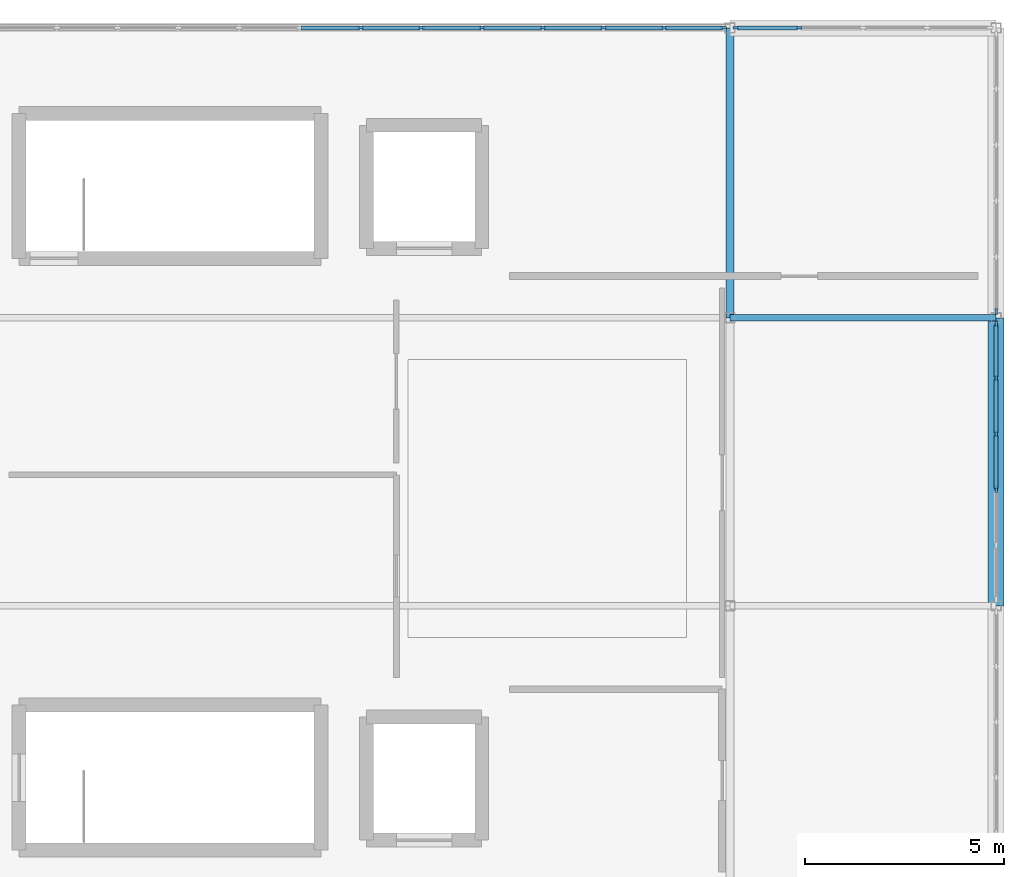
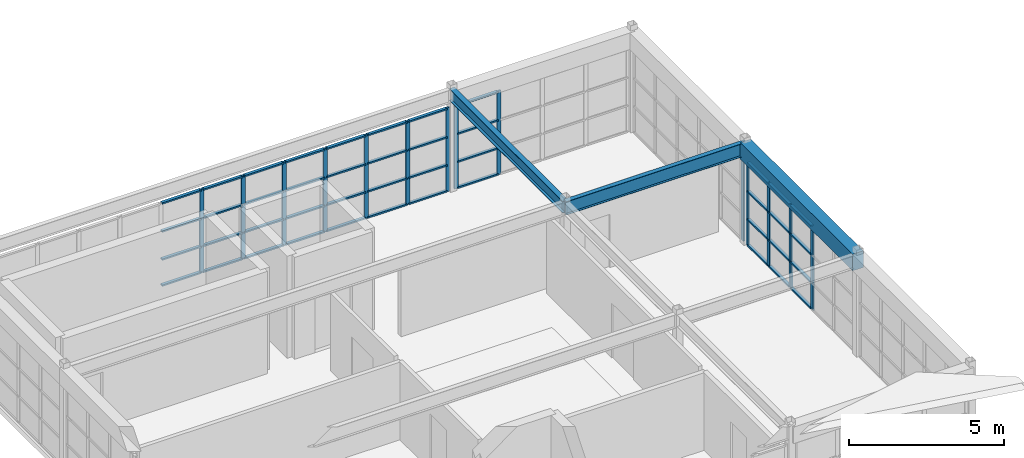
# One storey, part 12 of 19: 58 members, 3 beams, 4 elements without a shape of their own.
"""IFC4 building model written with IfcOpenShell, lengths in metres."""

import ifcopenshell
import ifcopenshell.guid

model = None  # the IFC model being written
_history = None  # IfcOwnerHistory: only IFC2X3 demands one
_inside = {}  # id of a spatial element -> (the spatial element, [elements in it])
_under = {}  # id of a project, library or spatial element -> (it, [spatial elements below it])
_declared = {}  # id of a project -> (the project, [libraries it declares])
_typed = {}  # id of a type object -> (the type object, [elements of that type])
_made_of = {}  # id of a material, layer set ... -> (it, [elements and type objects made of it])


def new_model(schema):
    """Start an empty IFC model of exactly this schema.

    Asked for "IFC4X3", IfcOpenShell would pick the latest addendum, in which some entities
    have other attributes; the version numbers below select the first issue.
    IFC2X3 requires an IfcOwnerHistory on every rooted entity: one is made here for all.
    """
    global model, _history
    if schema == "IFC4X3":
        model = ifcopenshell.file(schema_version=(4, 3, 0, 0))
    else:
        model = ifcopenshell.file(schema=schema)
    _inside.clear()
    _under.clear()
    _declared.clear()
    _typed.clear()
    _made_of.clear()
    _history = None
    if model.schema == "IFC2X3":
        org = make("IfcOrganization", Name="unknown")
        user = make(
            "IfcPersonAndOrganization",
            ThePerson=make("IfcPerson", FamilyName="unknown"),
            TheOrganization=org,
        )
        app = make(
            "IfcApplication",
            ApplicationDeveloper=org,
            Version="unknown",
            ApplicationFullName="unknown",
            ApplicationIdentifier="unknown",
        )
        _history = make(
            "IfcOwnerHistory",
            OwningUser=user,
            OwningApplication=app,
            ChangeAction="ADDED",
            CreationDate=0,
        )
    return model


def make(cls, **values):
    """One entity of the class cls with the attributes given. An attribute that is None is left unset."""
    return model.create_entity(
        cls, **{name: value for name, value in values.items() if value is not None}
    )


def rooted(cls, **values):
    """An entity with a GlobalId (a new one), such as an element, a storey or a relation."""
    return make(cls, GlobalId=ifcopenshell.guid.new(), OwnerHistory=_history, **values)


def si_unit(unit_type, name, prefix=None):
    """IfcSIUnit, for example si_unit("LENGTHUNIT", "METRE", prefix="MILLI")."""
    return make("IfcSIUnit", UnitType=unit_type, Prefix=prefix, Name=name)


def assignment(units):
    """IfcUnitAssignment: the units of a project."""
    return None if units is None else make("IfcUnitAssignment", Units=units)


def point(xyz):
    """IfcCartesianPoint."""
    return None if xyz is None else make("IfcCartesianPoint", Coordinates=xyz)


def direction(xyz):
    """IfcDirection."""
    return None if xyz is None else make("IfcDirection", DirectionRatios=xyz)


def frame(location, z_axis=None, x_axis=None):
    """IfcAxis2Placement3D, a coordinate frame: its origin and axes. An axis left out is left unset."""
    return make(
        "IfcAxis2Placement3D",
        Location=point(location),
        Axis=direction(z_axis),
        RefDirection=direction(x_axis),
    )


def frame_2d(location, x_axis=None):
    """IfcAxis2Placement2D, a coordinate frame in the plane: its origin and x axis."""
    return make(
        "IfcAxis2Placement2D", Location=point(location), RefDirection=direction(x_axis)
    )


def origin():
    """The frame at (0, 0, 0) with its axes left unset."""
    return frame((0.0, 0.0, 0.0))


def origin_2d():
    """The frame at (0, 0) in the plane with its x axis left unset."""
    return frame_2d((0.0, 0.0))


def place(relative_to, where):
    """IfcLocalPlacement: puts the frame where relative to a parent placement (None: the world)."""
    return make(
        "IfcLocalPlacement", PlacementRelTo=relative_to, RelativePlacement=where
    )


def context(
    kind, dimensions, precision=None, world=None, true_north=None, identifier=None
):
    """IfcGeometricRepresentationContext, for example the 3D "Model" context."""
    return make(
        "IfcGeometricRepresentationContext",
        ContextIdentifier=identifier,
        ContextType=kind,
        CoordinateSpaceDimension=dimensions,
        Precision=precision,
        WorldCoordinateSystem=world,
        TrueNorth=true_north,
    )


def subcontext(parent, identifier, kind, view, scale=None):
    """IfcGeometricRepresentationSubContext, for example "Body" below "Model"."""
    return make(
        "IfcGeometricRepresentationSubContext",
        ContextIdentifier=identifier,
        ContextType=kind,
        ParentContext=parent,
        TargetScale=scale,
        TargetView=view,
    )


def project(units=None, contexts=None):
    """IfcProject with its units and contexts."""
    return rooted(
        "IfcProject",
        Name="project",
        RepresentationContexts=contexts,
        UnitsInContext=assignment(units),
    )


def spatial(cls, under=None, at=None, **own):
    """A site, building, storey or space (cls), placed at a placement, below another one or the project."""
    s = rooted(cls, ObjectPlacement=at, **own)
    if under is not None:
        _under.setdefault(under.id(), (under, []))[1].append(s)
    return s


def profile(cls, at=None, kind="AREA", **sizes):
    """A parametric profile (cls). Its sizes go by their IFC names, for example OverallWidth=200.0."""
    return make(cls, ProfileType=kind, Position=at, **sizes)


def rectangle(**sizes):
    """IfcRectangleProfileDef."""
    return profile("IfcRectangleProfileDef", **sizes)


def i_section(**sizes):
    """IfcIShapeProfileDef."""
    return profile("IfcIShapeProfileDef", **sizes)


def extrude(swept, where, along, depth):
    """IfcExtrudedAreaSolid: the profile swept, set in the frame where, extruded along a direction by depth."""
    return make(
        "IfcExtrudedAreaSolid",
        SweptArea=swept,
        Position=where,
        ExtrudedDirection=direction(along),
        Depth=depth,
    )


def shape(context_of_items, identifier, shape_type, items):
    """IfcShapeRepresentation: the items that make up one representation, for example the "Body"."""
    return make(
        "IfcShapeRepresentation",
        ContextOfItems=context_of_items,
        RepresentationIdentifier=identifier,
        RepresentationType=shape_type,
        Items=items,
    )


def material(Name=None, Category=None):
    """IfcMaterial."""
    return make("IfcMaterial", Name=Name, Category=Category)


def layer(
    of_material, thickness, ventilated=None, Name=None, Category=None, Priority=None
):
    """IfcMaterialLayer: one layer of a wall or slab, of a material (None: an air gap)."""
    return make(
        "IfcMaterialLayer",
        Material=of_material,
        LayerThickness=thickness,
        IsVentilated=ventilated,
        Name=Name,
        Category=Category,
        Priority=Priority,
    )


def layer_set(layers, Name=None):
    """IfcMaterialLayerSet."""
    return make("IfcMaterialLayerSet", MaterialLayers=layers, LayerSetName=Name)


def material_profile(
    of_material, cross_section, Name=None, Category=None, Priority=None
):
    """IfcMaterialProfile: a cross section and its material."""
    return make(
        "IfcMaterialProfile",
        Name=Name,
        Material=of_material,
        Profile=cross_section,
        Priority=Priority,
        Category=Category,
    )


def profile_set(profiles, Name=None, composite=None):
    """IfcMaterialProfileSet."""
    return make(
        "IfcMaterialProfileSet",
        Name=Name,
        MaterialProfiles=profiles,
        CompositeProfile=composite,
    )


def made_of(thing, what):
    """Note that an element or type object is made of a material, layer set ...; save() writes the relation."""
    if what is not None:
        _made_of.setdefault(what.id(), (what, []))[1].append(thing)
    return thing


def type_object(cls, material=None, **own):
    """A type object (cls), such as IfcWallType, which elements share."""
    return made_of(rooted(cls, **own), material)


def element(
    cls,
    number,
    at=None,
    inside=None,
    cuts=None,
    type_object=None,
    material=None,
    context=None,
    identifier="Body",
    shape_type=None,
    held_by="IfcProductDefinitionShape",
    body=None,
    shapes=None,
    **own,
):
    """One element of the class cls, such as IfcWall. Its Tag is "e" and its number.

    at: its placement. inside: the storey or other place that contains it. cuts: it is an
    opening in that element (IfcRelVoidsElement). A single representation is given by context,
    identifier, shape_type and body (its items); several are given by shapes. held_by: the class
    of the entity that holds the representations. save() writes the other relations.
    """
    e = rooted(cls, Tag="e%d" % number, ObjectPlacement=at, **own)
    if body is not None:
        shapes = [shape(context, identifier, shape_type, body)]
    if shapes is not None:
        e.Representation = make(held_by, Representations=shapes)
    if inside is not None:
        _inside.setdefault(inside.id(), (inside, []))[1].append(e)
    if cuts is not None:
        rooted(
            "IfcRelVoidsElement", RelatingBuildingElement=cuts, RelatedOpeningElement=e
        )
    if type_object is not None:
        _typed.setdefault(type_object.id(), (type_object, []))[1].append(e)
    return made_of(e, material)


def aggregate(whole, parts):
    """IfcRelAggregates: a whole, such as a stair, and the parts it consists of."""
    return rooted("IfcRelAggregates", RelatingObject=whole, RelatedObjects=parts)


def save(model, path):
    """Write the relations noted so far, then the file.

    IfcRelAggregates (storeys below a building ...), IfcRelContainedInSpatialStructure (elements
    in a storey), IfcRelDefinesByType, IfcRelAssociatesMaterial and IfcRelDeclares: one each for
    every whole, place, type object, material and project.
    """
    for whole, parts in _under.values():
        aggregate(whole, parts)
    for where, things in _inside.values():
        rooted(
            "IfcRelContainedInSpatialStructure",
            RelatedElements=things,
            RelatingStructure=where,
        )
    for kind, things in _typed.values():
        rooted("IfcRelDefinesByType", RelatedObjects=things, RelatingType=kind)
    for what, things in _made_of.values():
        rooted("IfcRelAssociatesMaterial", RelatedObjects=things, RelatingMaterial=what)
    for by, libraries in _declared.values():
        rooted("IfcRelDeclares", RelatingContext=by, RelatedDefinitions=libraries)
    model.write(path)


model = new_model("IFC4")

# Units and contexts
model_context = context("Model", 3, precision=1e-05, world=origin(), true_north=direction((0.0, 1.0)))
body_context = subcontext(model_context, "Body", "Model", "MODEL_VIEW")
ifc_project = project(units=[si_unit("LENGTHUNIT", "METRE"), si_unit("AREAUNIT", "SQUARE_METRE"), si_unit("VOLUMEUNIT", "CUBIC_METRE"), si_unit("PLANEANGLEUNIT", "RADIAN"), si_unit("MASSUNIT", "GRAM", prefix="KILO")], contexts=[model_context])

# Site, building, storey
site_placement = place(None, origin())
site = spatial("IfcSite", under=ifc_project, at=site_placement, CompositionType="ELEMENT")
building_placement = place(site_placement, origin())
building = spatial("IfcBuilding", under=site, at=building_placement, Name="Candilejo Ridge Gondola Terminal", CompositionType="ELEMENT")
storey_placement = place(building_placement, frame((0.0, 0.0, 22.800048828125)))
storey = spatial("IfcBuildingStorey", under=building, at=storey_placement, Name="L05", CompositionType="ELEMENT", Elevation=22.800048828125)

# Curtain wall, members
ifc_material_1 = material(Name="Anodised aluminium AA 6063-T6", Category="aluminium")
ifc_layer_1 = layer(ifc_material_1, 0.169921875)
ifc_layer_set_1 = layer_set([ifc_layer_1], Name="ARC-CW-TOWER-3000-700X329")
curtain_wall_type_1 = type_object("IfcCurtainWallType", Name="ARC-CW-TOWER-3000-700X329", PredefinedType="NOTDEFINED", material=ifc_layer_set_1)
curtain_wall_1_placement = place(storey_placement, origin())
curtain_wall_1 = element("IfcCurtainWall", 1, at=curtain_wall_1_placement, inside=storey, type_object=curtain_wall_type_1, Name="Curtain wall V5 L05-229", PredefinedType="NOTDEFINED")
ifc_material_2 = material(Name="Anodised aluminium AA 6063-T6", Category="aluminium")
ifc_material_profile_1 = material_profile(ifc_material_2, rectangle(XDim=0.06494140625, YDim=0.14990234375, at=origin_2d()))
ifc_profile_set_1 = profile_set([ifc_material_profile_1], Name="Anodised aluminium AA 6063-T6")
member_type_1 = type_object("IfcMemberType", Name="ARC-CW-MULLION-150", PredefinedType="MULLION", material=ifc_profile_set_1)
member_1_placement = place(storey_placement, frame((175.300048828125, 109.22509765625, 0.0), z_axis=(0.0, 0.0, 1.0), x_axis=(-1.0, 0.0, 0.0)))
member_1 = element("IfcMember", 2, at=member_1_placement, type_object=member_type_1, Name="CW-70X32 mullion 3", PredefinedType="MULLION", context=body_context, shape_type="SweptSolid", body=[
    extrude(rectangle(XDim=0.06494140625, YDim=0.14990234375, at=origin_2d()), origin(), (0.0, 0.0, 1.0), 3.2900390625),
])
member_2_placement = place(storey_placement, frame((175.300048828125, 110.625, 0.0), z_axis=(0.0, 0.0, 1.0), x_axis=(-1.0, 0.0, 0.0)))
member_2 = element("IfcMember", 3, at=member_2_placement, type_object=member_type_1, Name="CW-70X32 mullion 4", PredefinedType="MULLION", context=body_context, shape_type="SweptSolid", body=[
    extrude(rectangle(XDim=0.06494140625, YDim=0.14990234375, at=origin_2d()), origin(), (0.0, 0.0, 1.0), 3.2900390625),
])
member_3_placement = place(storey_placement, frame((175.300048828125, 112.02490234375, 0.0), z_axis=(0.0, 0.0, 1.0), x_axis=(-1.0, 0.0, 0.0)))
member_3 = element("IfcMember", 4, at=member_3_placement, type_object=member_type_1, Name="CW-70X32 mullion 5", PredefinedType="MULLION", context=body_context, shape_type="SweptSolid", body=[
    extrude(rectangle(XDim=0.06494140625, YDim=0.14990234375, at=origin_2d()), origin(), (0.0, 0.0, 1.0), 3.2900390625),
])
member_4_placement = place(storey_placement, frame((175.300048828125, 113.392578125, 0.0), z_axis=(0.0, 0.0, 1.0), x_axis=(-1.0, 0.0, 0.0)))
member_4 = element("IfcMember", 5, at=member_4_placement, type_object=member_type_1, Name="CW-70X32 mullion 6", PredefinedType="MULLION", context=body_context, shape_type="SweptSolid", body=[
    extrude(rectangle(XDim=0.06494140625, YDim=0.14990234375, at=origin_2d()), origin(), (0.0, 0.0, 1.0), 3.2900390625),
])

# Curtain wall, member
ifc_material_3 = material(Name="Anodised aluminium AA 6063-T6", Category="aluminium")
ifc_layer_2 = layer(ifc_material_3, 0.169921875)
ifc_layer_set_2 = layer_set([ifc_layer_2], Name="ARC-CW-TOWER-3000-705X329")
curtain_wall_type_2 = type_object("IfcCurtainWallType", Name="ARC-CW-TOWER-3000-705X329", PredefinedType="NOTDEFINED", material=ifc_layer_set_2)
curtain_wall_2_placement = place(storey_placement, origin())
curtain_wall_2 = element("IfcCurtainWall", 6, at=curtain_wall_2_placement, inside=storey, type_object=curtain_wall_type_2, Name="Curtain wall V5 L05-231", PredefinedType="NOTDEFINED")
member_5_placement = place(storey_placement, frame((175.300048828125, 113.70751953125, 0.0), z_axis=(0.0, 0.0, 1.0), x_axis=(-1.0, 0.0, 0.0)))
member_5 = element("IfcMember", 7, at=member_5_placement, type_object=member_type_1, Name="CW-70X32 mullion 1", PredefinedType="MULLION", context=body_context, shape_type="SweptSolid", body=[
    extrude(rectangle(XDim=0.06494140625, YDim=0.14990234375, at=origin_2d()), origin(), (0.0, 0.0, 1.0), 3.2900390625),
])
aggregate(curtain_wall_2, [member_5])

# Curtain wall, members
ifc_material_4 = material(Name="Anodised aluminium AA 6063-T6", Category="aluminium")
ifc_layer_3 = layer(ifc_material_4, 0.169921875)
ifc_layer_set_3 = layer_set([ifc_layer_3], Name="ARC-CW-TOWER-3000-1835X329")
curtain_wall_type_3 = type_object("IfcCurtainWallType", Name="ARC-CW-TOWER-3000-1835X329", PredefinedType="NOTDEFINED", material=ifc_layer_set_3)
curtain_wall_3_placement = place(storey_placement, origin())
curtain_wall_3 = element("IfcCurtainWall", 8, at=curtain_wall_3_placement, inside=storey, type_object=curtain_wall_type_3, Name="Curtain wall V5 L05-233", PredefinedType="NOTDEFINED")
member_6_placement = place(storey_placement, frame((159.300048828125, 120.85009765625, 0.0), z_axis=(0.0, 0.0, 1.0), x_axis=(0.0, 1.0, 0.0)))
member_6 = element("IfcMember", 9, at=member_6_placement, type_object=member_type_1, Name="CW-183X32 mullion 7", PredefinedType="MULLION", context=body_context, shape_type="SweptSolid", body=[
    extrude(rectangle(XDim=0.06494140625, YDim=0.14990234375, at=origin_2d()), origin(), (0.0, 0.0, 1.0), 3.2900390625),
])
member_7_placement = place(storey_placement, frame((160.8291015625, 120.85009765625, 0.0), z_axis=(0.0, 0.0, 1.0), x_axis=(0.0, 1.0, 0.0)))
member_7 = element("IfcMember", 10, at=member_7_placement, type_object=member_type_1, Name="CW-183X32 mullion 8", PredefinedType="MULLION", context=body_context, shape_type="SweptSolid", body=[
    extrude(rectangle(XDim=0.06494140625, YDim=0.14990234375, at=origin_2d()), origin(), (0.0, 0.0, 1.0), 3.2900390625),
])
member_8_placement = place(storey_placement, frame((162.3583984375, 120.85009765625, 0.0), z_axis=(0.0, 0.0, 1.0), x_axis=(0.0, 1.0, 0.0)))
member_8 = element("IfcMember", 11, at=member_8_placement, type_object=member_type_1, Name="CW-183X32 mullion 9", PredefinedType="MULLION", context=body_context, shape_type="SweptSolid", body=[
    extrude(rectangle(XDim=0.06494140625, YDim=0.14990234375, at=origin_2d()), origin(), (0.0, 0.0, 1.0), 3.2900390625),
])
member_9_placement = place(storey_placement, frame((163.887451171875, 120.85009765625, 0.0), z_axis=(0.0, 0.0, 1.0), x_axis=(0.0, 1.0, 0.0)))
member_9 = element("IfcMember", 12, at=member_9_placement, type_object=member_type_1, Name="CW-183X32 mullion 10", PredefinedType="MULLION", context=body_context, shape_type="SweptSolid", body=[
    extrude(rectangle(XDim=0.06494140625, YDim=0.14990234375, at=origin_2d()), origin(), (0.0, 0.0, 1.0), 3.2900390625),
])
member_10_placement = place(storey_placement, frame((165.416748046875, 120.85009765625, 0.0), z_axis=(0.0, 0.0, 1.0), x_axis=(0.0, 1.0, 0.0)))
member_10 = element("IfcMember", 13, at=member_10_placement, type_object=member_type_1, Name="CW-183X32 mullion 11", PredefinedType="MULLION", context=body_context, shape_type="SweptSolid", body=[
    extrude(rectangle(XDim=0.06494140625, YDim=0.14990234375, at=origin_2d()), origin(), (0.0, 0.0, 1.0), 3.2900390625),
])
member_11_placement = place(storey_placement, frame((166.94580078125, 120.85009765625, 0.0), z_axis=(0.0, 0.0, 1.0), x_axis=(0.0, 1.0, 0.0)))
member_11 = element("IfcMember", 14, at=member_11_placement, type_object=member_type_1, Name="CW-183X32 mullion 12", PredefinedType="MULLION", context=body_context, shape_type="SweptSolid", body=[
    extrude(rectangle(XDim=0.06494140625, YDim=0.14990234375, at=origin_2d()), origin(), (0.0, 0.0, 1.0), 3.2900390625),
])
member_12_placement = place(storey_placement, frame((168.4423828125, 120.85009765625, 0.0), z_axis=(0.0, 0.0, 1.0), x_axis=(0.0, 1.0, 0.0)))
member_12 = element("IfcMember", 15, at=member_12_placement, type_object=member_type_1, Name="CW-183X32 mullion 13", PredefinedType="MULLION", context=body_context, shape_type="SweptSolid", body=[
    extrude(rectangle(XDim=0.06494140625, YDim=0.14990234375, at=origin_2d()), origin(), (0.0, 0.0, 1.0), 3.2900390625),
])

ifc_material_5 = material(Name="Anodised aluminium AA 6063-T6", Category="aluminium")
ifc_layer_4 = layer(ifc_material_5, 0.169921875)
ifc_layer_set_4 = layer_set([ifc_layer_4], Name="ARC-CW-TOWER-3000-645X329")
curtain_wall_type_4 = type_object("IfcCurtainWallType", Name="ARC-CW-TOWER-3000-645X329", PredefinedType="NOTDEFINED", material=ifc_layer_set_4)
curtain_wall_4_placement = place(storey_placement, origin())
curtain_wall_4 = element("IfcCurtainWall", 16, at=curtain_wall_4_placement, inside=storey, type_object=curtain_wall_type_4, Name="Curtain wall V5 L05-235", PredefinedType="NOTDEFINED")
member_13_placement = place(storey_placement, frame((168.757568359375, 120.85009765625, 0.0), z_axis=(0.0, 0.0, 1.0), x_axis=(0.0, 1.0, 0.0)))
member_13 = element("IfcMember", 17, at=member_13_placement, type_object=member_type_1, Name="CW-64X32 mullion 1", PredefinedType="MULLION", context=body_context, shape_type="SweptSolid", body=[
    extrude(rectangle(XDim=0.06494140625, YDim=0.14990234375, at=origin_2d()), origin(), (0.0, 0.0, 1.0), 3.2900390625),
])
member_14_placement = place(storey_placement, frame((170.33740234375, 120.85009765625, 0.0), z_axis=(0.0, 0.0, 1.0), x_axis=(0.0, 1.0, 0.0)))
member_14 = element("IfcMember", 18, at=member_14_placement, type_object=member_type_1, Name="CW-64X32 mullion 2", PredefinedType="MULLION", context=body_context, shape_type="SweptSolid", body=[
    extrude(rectangle(XDim=0.06494140625, YDim=0.14990234375, at=origin_2d()), origin(), (0.0, 0.0, 1.0), 3.2900390625),
])

# Member
ifc_material_6 = material(Name="Anodised aluminium AA 6063-T6", Category="aluminium")
ifc_material_profile_2 = material_profile(ifc_material_6, rectangle(XDim=0.110107421875, YDim=0.06005859375, at=origin_2d()))
ifc_profile_set_2 = profile_set([ifc_material_profile_2], Name="Anodised aluminium AA 6063-T6")
member_type_2 = type_object("IfcMemberType", Name="ARC-CW-TRANSOM-110", PredefinedType="USERDEFINED", material=ifc_profile_set_2)
member_15_placement = place(storey_placement, frame((175.300048828125, 109.257568359375, 0.030029296875), z_axis=(0.0, 1.0, 0.0), x_axis=(-1.0, 0.0, 0.0)))
member_15 = element("IfcMember", 19, at=member_15_placement, type_object=member_type_2, Name="CW-70X32 transom 3.1", ObjectType="TRANSOM", PredefinedType="USERDEFINED", context=body_context, shape_type="SweptSolid", body=[
    extrude(rectangle(XDim=0.110107421875, YDim=0.06005859375, at=origin_2d()), origin(), (0.0, 0.0, 1.0), 1.3349609375),
])

member_16_placement = place(storey_placement, frame((175.300048828125, 109.257568359375, 1.050048828125), z_axis=(0.0, 1.0, 0.0), x_axis=(-1.0, 0.0, 0.0)))
member_16 = element("IfcMember", 20, at=member_16_placement, type_object=member_type_2, Name="CW-70X32 transom 3.2", ObjectType="TRANSOM", PredefinedType="USERDEFINED", context=body_context, shape_type="SweptSolid", body=[
    extrude(rectangle(XDim=0.110107421875, YDim=0.06005859375, at=origin_2d()), origin(), (0.0, 0.0, 1.0), 1.3349609375),
])

member_17_placement = place(storey_placement, frame((175.300048828125, 109.257568359375, 2.14990234375), z_axis=(0.0, 1.0, 0.0), x_axis=(-1.0, 0.0, 0.0)))
member_17 = element("IfcMember", 21, at=member_17_placement, type_object=member_type_2, Name="CW-70X32 transom 3.3", ObjectType="TRANSOM", PredefinedType="USERDEFINED", context=body_context, shape_type="SweptSolid", body=[
    extrude(rectangle(XDim=0.110107421875, YDim=0.06005859375, at=origin_2d()), origin(), (0.0, 0.0, 1.0), 1.3349609375),
])

member_18_placement = place(storey_placement, frame((175.300048828125, 109.257568359375, 3.260009765625), z_axis=(0.0, 1.0, 0.0), x_axis=(-1.0, 0.0, 0.0)))
member_18 = element("IfcMember", 22, at=member_18_placement, type_object=member_type_2, Name="CW-70X32 transom 3.4", ObjectType="TRANSOM", PredefinedType="USERDEFINED", context=body_context, shape_type="SweptSolid", body=[
    extrude(rectangle(XDim=0.110107421875, YDim=0.06005859375, at=origin_2d()), origin(), (0.0, 0.0, 1.0), 1.3349609375),
])

member_19_placement = place(storey_placement, frame((175.300048828125, 110.657470703125, 0.030029296875), z_axis=(0.0, 1.0, 0.0), x_axis=(-1.0, 0.0, 0.0)))
member_19 = element("IfcMember", 23, at=member_19_placement, type_object=member_type_2, Name="CW-70X32 transom 4.1", ObjectType="TRANSOM", PredefinedType="USERDEFINED", context=body_context, shape_type="SweptSolid", body=[
    extrude(rectangle(XDim=0.110107421875, YDim=0.06005859375, at=origin_2d()), origin(), (0.0, 0.0, 1.0), 1.3349609375),
])

member_20_placement = place(storey_placement, frame((175.300048828125, 110.657470703125, 1.050048828125), z_axis=(0.0, 1.0, 0.0), x_axis=(-1.0, 0.0, 0.0)))
member_20 = element("IfcMember", 24, at=member_20_placement, type_object=member_type_2, Name="CW-70X32 transom 4.2", ObjectType="TRANSOM", PredefinedType="USERDEFINED", context=body_context, shape_type="SweptSolid", body=[
    extrude(rectangle(XDim=0.110107421875, YDim=0.06005859375, at=origin_2d()), origin(), (0.0, 0.0, 1.0), 1.3349609375),
])

member_21_placement = place(storey_placement, frame((175.300048828125, 110.657470703125, 2.14990234375), z_axis=(0.0, 1.0, 0.0), x_axis=(-1.0, 0.0, 0.0)))
member_21 = element("IfcMember", 25, at=member_21_placement, type_object=member_type_2, Name="CW-70X32 transom 4.3", ObjectType="TRANSOM", PredefinedType="USERDEFINED", context=body_context, shape_type="SweptSolid", body=[
    extrude(rectangle(XDim=0.110107421875, YDim=0.06005859375, at=origin_2d()), origin(), (0.0, 0.0, 1.0), 1.3349609375),
])

member_22_placement = place(storey_placement, frame((175.300048828125, 110.657470703125, 3.260009765625), z_axis=(0.0, 1.0, 0.0), x_axis=(-1.0, 0.0, 0.0)))
member_22 = element("IfcMember", 26, at=member_22_placement, type_object=member_type_2, Name="CW-70X32 transom 4.4", ObjectType="TRANSOM", PredefinedType="USERDEFINED", context=body_context, shape_type="SweptSolid", body=[
    extrude(rectangle(XDim=0.110107421875, YDim=0.06005859375, at=origin_2d()), origin(), (0.0, 0.0, 1.0), 1.3349609375),
])

member_23_placement = place(storey_placement, frame((175.300048828125, 112.0576171875, 0.030029296875), z_axis=(0.0, 1.0, 0.0), x_axis=(-1.0, 0.0, 0.0)))
member_23 = element("IfcMember", 27, at=member_23_placement, type_object=member_type_2, Name="CW-70X32 transom 5.1", ObjectType="TRANSOM", PredefinedType="USERDEFINED", context=body_context, shape_type="SweptSolid", body=[
    extrude(rectangle(XDim=0.110107421875, YDim=0.06005859375, at=origin_2d()), origin(), (0.0, 0.0, 1.0), 1.302490234375),
])

member_24_placement = place(storey_placement, frame((175.300048828125, 112.0576171875, 1.050048828125), z_axis=(0.0, 1.0, 0.0), x_axis=(-1.0, 0.0, 0.0)))
member_24 = element("IfcMember", 28, at=member_24_placement, type_object=member_type_2, Name="CW-70X32 transom 5.2", ObjectType="TRANSOM", PredefinedType="USERDEFINED", context=body_context, shape_type="SweptSolid", body=[
    extrude(rectangle(XDim=0.110107421875, YDim=0.06005859375, at=origin_2d()), origin(), (0.0, 0.0, 1.0), 1.302490234375),
])

member_25_placement = place(storey_placement, frame((175.300048828125, 112.0576171875, 2.14990234375), z_axis=(0.0, 1.0, 0.0), x_axis=(-1.0, 0.0, 0.0)))
member_25 = element("IfcMember", 29, at=member_25_placement, type_object=member_type_2, Name="CW-70X32 transom 5.3", ObjectType="TRANSOM", PredefinedType="USERDEFINED", context=body_context, shape_type="SweptSolid", body=[
    extrude(rectangle(XDim=0.110107421875, YDim=0.06005859375, at=origin_2d()), origin(), (0.0, 0.0, 1.0), 1.302490234375),
])

member_26_placement = place(storey_placement, frame((175.300048828125, 112.0576171875, 3.260009765625), z_axis=(0.0, 1.0, 0.0), x_axis=(-1.0, 0.0, 0.0)))
member_26 = element("IfcMember", 30, at=member_26_placement, type_object=member_type_2, Name="CW-70X32 transom 5.4", ObjectType="TRANSOM", PredefinedType="USERDEFINED", context=body_context, shape_type="SweptSolid", body=[
    extrude(rectangle(XDim=0.110107421875, YDim=0.06005859375, at=origin_2d()), origin(), (0.0, 0.0, 1.0), 1.302490234375),
])

aggregate(curtain_wall_1, [member_1, member_2, member_3, member_4, member_15, member_16, member_17, member_18, member_19, member_20, member_21, member_22, member_23, member_24, member_25, member_26])

member_27_placement = place(storey_placement, frame((157.80322265625, 120.85009765625, 0.030029296875), z_axis=(1.0, 0.0, 0.0), x_axis=(0.0, 1.0, 0.0)))
member_27 = element("IfcMember", 31, at=member_27_placement, type_object=member_type_2, Name="CW-183X32 transom 6.1", ObjectType="TRANSOM", PredefinedType="USERDEFINED", context=body_context, shape_type="SweptSolid", body=[
    extrude(rectangle(XDim=0.110107421875, YDim=0.06005859375, at=origin_2d()), origin(), (0.0, 0.0, 1.0), 1.46435546875),
])

member_28_placement = place(storey_placement, frame((157.80322265625, 120.85009765625, 1.050048828125), z_axis=(1.0, 0.0, 0.0), x_axis=(0.0, 1.0, 0.0)))
member_28 = element("IfcMember", 32, at=member_28_placement, type_object=member_type_2, Name="CW-183X32 transom 6.2", ObjectType="TRANSOM", PredefinedType="USERDEFINED", context=body_context, shape_type="SweptSolid", body=[
    extrude(rectangle(XDim=0.110107421875, YDim=0.06005859375, at=origin_2d()), origin(), (0.0, 0.0, 1.0), 1.46435546875),
])

member_29_placement = place(storey_placement, frame((157.80322265625, 120.85009765625, 2.14990234375), z_axis=(1.0, 0.0, 0.0), x_axis=(0.0, 1.0, 0.0)))
member_29 = element("IfcMember", 33, at=member_29_placement, type_object=member_type_2, Name="CW-183X32 transom 6.3", ObjectType="TRANSOM", PredefinedType="USERDEFINED", context=body_context, shape_type="SweptSolid", body=[
    extrude(rectangle(XDim=0.110107421875, YDim=0.06005859375, at=origin_2d()), origin(), (0.0, 0.0, 1.0), 1.46435546875),
])

member_30_placement = place(storey_placement, frame((157.80322265625, 120.85009765625, 3.260009765625), z_axis=(1.0, 0.0, 0.0), x_axis=(0.0, 1.0, 0.0)))
member_30 = element("IfcMember", 34, at=member_30_placement, type_object=member_type_2, Name="CW-183X32 transom 6.4", ObjectType="TRANSOM", PredefinedType="USERDEFINED", context=body_context, shape_type="SweptSolid", body=[
    extrude(rectangle(XDim=0.110107421875, YDim=0.06005859375, at=origin_2d()), origin(), (0.0, 0.0, 1.0), 1.46435546875),
])

member_31_placement = place(storey_placement, frame((159.33251953125, 120.85009765625, 0.030029296875), z_axis=(1.0, 0.0, 0.0), x_axis=(0.0, 1.0, 0.0)))
member_31 = element("IfcMember", 35, at=member_31_placement, type_object=member_type_2, Name="CW-183X32 transom 7.1", ObjectType="TRANSOM", PredefinedType="USERDEFINED", context=body_context, shape_type="SweptSolid", body=[
    extrude(rectangle(XDim=0.110107421875, YDim=0.06005859375, at=origin_2d()), origin(), (0.0, 0.0, 1.0), 1.464111328125),
])

member_32_placement = place(storey_placement, frame((159.33251953125, 120.85009765625, 1.050048828125), z_axis=(1.0, 0.0, 0.0), x_axis=(0.0, 1.0, 0.0)))
member_32 = element("IfcMember", 36, at=member_32_placement, type_object=member_type_2, Name="CW-183X32 transom 7.2", ObjectType="TRANSOM", PredefinedType="USERDEFINED", context=body_context, shape_type="SweptSolid", body=[
    extrude(rectangle(XDim=0.110107421875, YDim=0.06005859375, at=origin_2d()), origin(), (0.0, 0.0, 1.0), 1.464111328125),
])

member_33_placement = place(storey_placement, frame((159.33251953125, 120.85009765625, 2.14990234375), z_axis=(1.0, 0.0, 0.0), x_axis=(0.0, 1.0, 0.0)))
member_33 = element("IfcMember", 37, at=member_33_placement, type_object=member_type_2, Name="CW-183X32 transom 7.3", ObjectType="TRANSOM", PredefinedType="USERDEFINED", context=body_context, shape_type="SweptSolid", body=[
    extrude(rectangle(XDim=0.110107421875, YDim=0.06005859375, at=origin_2d()), origin(), (0.0, 0.0, 1.0), 1.464111328125),
])

member_34_placement = place(storey_placement, frame((159.33251953125, 120.85009765625, 3.260009765625), z_axis=(1.0, 0.0, 0.0), x_axis=(0.0, 1.0, 0.0)))
member_34 = element("IfcMember", 38, at=member_34_placement, type_object=member_type_2, Name="CW-183X32 transom 7.4", ObjectType="TRANSOM", PredefinedType="USERDEFINED", context=body_context, shape_type="SweptSolid", body=[
    extrude(rectangle(XDim=0.110107421875, YDim=0.06005859375, at=origin_2d()), origin(), (0.0, 0.0, 1.0), 1.464111328125),
])

member_35_placement = place(storey_placement, frame((160.861572265625, 120.85009765625, 0.030029296875), z_axis=(1.0, 0.0, 0.0), x_axis=(0.0, 1.0, 0.0)))
member_35 = element("IfcMember", 39, at=member_35_placement, type_object=member_type_2, Name="CW-183X32 transom 8.1", ObjectType="TRANSOM", PredefinedType="USERDEFINED", context=body_context, shape_type="SweptSolid", body=[
    extrude(rectangle(XDim=0.110107421875, YDim=0.06005859375, at=origin_2d()), origin(), (0.0, 0.0, 1.0), 1.46435546875),
])

member_36_placement = place(storey_placement, frame((160.861572265625, 120.85009765625, 1.050048828125), z_axis=(1.0, 0.0, 0.0), x_axis=(0.0, 1.0, 0.0)))
member_36 = element("IfcMember", 40, at=member_36_placement, type_object=member_type_2, Name="CW-183X32 transom 8.2", ObjectType="TRANSOM", PredefinedType="USERDEFINED", context=body_context, shape_type="SweptSolid", body=[
    extrude(rectangle(XDim=0.110107421875, YDim=0.06005859375, at=origin_2d()), origin(), (0.0, 0.0, 1.0), 1.46435546875),
])

member_37_placement = place(storey_placement, frame((160.861572265625, 120.85009765625, 2.14990234375), z_axis=(1.0, 0.0, 0.0), x_axis=(0.0, 1.0, 0.0)))
member_37 = element("IfcMember", 41, at=member_37_placement, type_object=member_type_2, Name="CW-183X32 transom 8.3", ObjectType="TRANSOM", PredefinedType="USERDEFINED", context=body_context, shape_type="SweptSolid", body=[
    extrude(rectangle(XDim=0.110107421875, YDim=0.06005859375, at=origin_2d()), origin(), (0.0, 0.0, 1.0), 1.46435546875),
])

member_38_placement = place(storey_placement, frame((160.861572265625, 120.85009765625, 3.260009765625), z_axis=(1.0, 0.0, 0.0), x_axis=(0.0, 1.0, 0.0)))
member_38 = element("IfcMember", 42, at=member_38_placement, type_object=member_type_2, Name="CW-183X32 transom 8.4", ObjectType="TRANSOM", PredefinedType="USERDEFINED", context=body_context, shape_type="SweptSolid", body=[
    extrude(rectangle(XDim=0.110107421875, YDim=0.06005859375, at=origin_2d()), origin(), (0.0, 0.0, 1.0), 1.46435546875),
])

member_39_placement = place(storey_placement, frame((162.390869140625, 120.85009765625, 0.030029296875), z_axis=(1.0, 0.0, 0.0), x_axis=(0.0, 1.0, 0.0)))
member_39 = element("IfcMember", 43, at=member_39_placement, type_object=member_type_2, Name="CW-183X32 transom 9.1", ObjectType="TRANSOM", PredefinedType="USERDEFINED", context=body_context, shape_type="SweptSolid", body=[
    extrude(rectangle(XDim=0.110107421875, YDim=0.06005859375, at=origin_2d()), origin(), (0.0, 0.0, 1.0), 1.464111328125),
])

member_40_placement = place(storey_placement, frame((162.390869140625, 120.85009765625, 1.050048828125), z_axis=(1.0, 0.0, 0.0), x_axis=(0.0, 1.0, 0.0)))
member_40 = element("IfcMember", 44, at=member_40_placement, type_object=member_type_2, Name="CW-183X32 transom 9.2", ObjectType="TRANSOM", PredefinedType="USERDEFINED", context=body_context, shape_type="SweptSolid", body=[
    extrude(rectangle(XDim=0.110107421875, YDim=0.06005859375, at=origin_2d()), origin(), (0.0, 0.0, 1.0), 1.464111328125),
])

member_41_placement = place(storey_placement, frame((162.390869140625, 120.85009765625, 2.14990234375), z_axis=(1.0, 0.0, 0.0), x_axis=(0.0, 1.0, 0.0)))
member_41 = element("IfcMember", 45, at=member_41_placement, type_object=member_type_2, Name="CW-183X32 transom 9.3", ObjectType="TRANSOM", PredefinedType="USERDEFINED", context=body_context, shape_type="SweptSolid", body=[
    extrude(rectangle(XDim=0.110107421875, YDim=0.06005859375, at=origin_2d()), origin(), (0.0, 0.0, 1.0), 1.464111328125),
])

member_42_placement = place(storey_placement, frame((162.390869140625, 120.85009765625, 3.260009765625), z_axis=(1.0, 0.0, 0.0), x_axis=(0.0, 1.0, 0.0)))
member_42 = element("IfcMember", 46, at=member_42_placement, type_object=member_type_2, Name="CW-183X32 transom 9.4", ObjectType="TRANSOM", PredefinedType="USERDEFINED", context=body_context, shape_type="SweptSolid", body=[
    extrude(rectangle(XDim=0.110107421875, YDim=0.06005859375, at=origin_2d()), origin(), (0.0, 0.0, 1.0), 1.464111328125),
])

member_43_placement = place(storey_placement, frame((163.919921875, 120.85009765625, 0.030029296875), z_axis=(1.0, 0.0, 0.0), x_axis=(0.0, 1.0, 0.0)))
member_43 = element("IfcMember", 47, at=member_43_placement, type_object=member_type_2, Name="CW-183X32 transom 10.1", ObjectType="TRANSOM", PredefinedType="USERDEFINED", context=body_context, shape_type="SweptSolid", body=[
    extrude(rectangle(XDim=0.110107421875, YDim=0.06005859375, at=origin_2d()), origin(), (0.0, 0.0, 1.0), 1.46435546875),
])

member_44_placement = place(storey_placement, frame((163.919921875, 120.85009765625, 1.050048828125), z_axis=(1.0, 0.0, 0.0), x_axis=(0.0, 1.0, 0.0)))
member_44 = element("IfcMember", 48, at=member_44_placement, type_object=member_type_2, Name="CW-183X32 transom 10.2", ObjectType="TRANSOM", PredefinedType="USERDEFINED", context=body_context, shape_type="SweptSolid", body=[
    extrude(rectangle(XDim=0.110107421875, YDim=0.06005859375, at=origin_2d()), origin(), (0.0, 0.0, 1.0), 1.46435546875),
])

member_45_placement = place(storey_placement, frame((163.919921875, 120.85009765625, 2.14990234375), z_axis=(1.0, 0.0, 0.0), x_axis=(0.0, 1.0, 0.0)))
member_45 = element("IfcMember", 49, at=member_45_placement, type_object=member_type_2, Name="CW-183X32 transom 10.3", ObjectType="TRANSOM", PredefinedType="USERDEFINED", context=body_context, shape_type="SweptSolid", body=[
    extrude(rectangle(XDim=0.110107421875, YDim=0.06005859375, at=origin_2d()), origin(), (0.0, 0.0, 1.0), 1.46435546875),
])

member_46_placement = place(storey_placement, frame((163.919921875, 120.85009765625, 3.260009765625), z_axis=(1.0, 0.0, 0.0), x_axis=(0.0, 1.0, 0.0)))
member_46 = element("IfcMember", 50, at=member_46_placement, type_object=member_type_2, Name="CW-183X32 transom 10.4", ObjectType="TRANSOM", PredefinedType="USERDEFINED", context=body_context, shape_type="SweptSolid", body=[
    extrude(rectangle(XDim=0.110107421875, YDim=0.06005859375, at=origin_2d()), origin(), (0.0, 0.0, 1.0), 1.46435546875),
])

member_47_placement = place(storey_placement, frame((165.44921875, 120.85009765625, 0.030029296875), z_axis=(1.0, 0.0, 0.0), x_axis=(0.0, 1.0, 0.0)))
member_47 = element("IfcMember", 51, at=member_47_placement, type_object=member_type_2, Name="CW-183X32 transom 11.1", ObjectType="TRANSOM", PredefinedType="USERDEFINED", context=body_context, shape_type="SweptSolid", body=[
    extrude(rectangle(XDim=0.110107421875, YDim=0.06005859375, at=origin_2d()), origin(), (0.0, 0.0, 1.0), 1.464111328125),
])

member_48_placement = place(storey_placement, frame((165.44921875, 120.85009765625, 1.050048828125), z_axis=(1.0, 0.0, 0.0), x_axis=(0.0, 1.0, 0.0)))
member_48 = element("IfcMember", 52, at=member_48_placement, type_object=member_type_2, Name="CW-183X32 transom 11.2", ObjectType="TRANSOM", PredefinedType="USERDEFINED", context=body_context, shape_type="SweptSolid", body=[
    extrude(rectangle(XDim=0.110107421875, YDim=0.06005859375, at=origin_2d()), origin(), (0.0, 0.0, 1.0), 1.464111328125),
])

member_49_placement = place(storey_placement, frame((165.44921875, 120.85009765625, 2.14990234375), z_axis=(1.0, 0.0, 0.0), x_axis=(0.0, 1.0, 0.0)))
member_49 = element("IfcMember", 53, at=member_49_placement, type_object=member_type_2, Name="CW-183X32 transom 11.3", ObjectType="TRANSOM", PredefinedType="USERDEFINED", context=body_context, shape_type="SweptSolid", body=[
    extrude(rectangle(XDim=0.110107421875, YDim=0.06005859375, at=origin_2d()), origin(), (0.0, 0.0, 1.0), 1.464111328125),
])

member_50_placement = place(storey_placement, frame((165.44921875, 120.85009765625, 3.260009765625), z_axis=(1.0, 0.0, 0.0), x_axis=(0.0, 1.0, 0.0)))
member_50 = element("IfcMember", 54, at=member_50_placement, type_object=member_type_2, Name="CW-183X32 transom 11.4", ObjectType="TRANSOM", PredefinedType="USERDEFINED", context=body_context, shape_type="SweptSolid", body=[
    extrude(rectangle(XDim=0.110107421875, YDim=0.06005859375, at=origin_2d()), origin(), (0.0, 0.0, 1.0), 1.464111328125),
])

member_51_placement = place(storey_placement, frame((166.978271484375, 120.85009765625, 0.030029296875), z_axis=(1.0, 0.0, 0.0), x_axis=(0.0, 1.0, 0.0)))
member_51 = element("IfcMember", 55, at=member_51_placement, type_object=member_type_2, Name="CW-183X32 transom 12.1", ObjectType="TRANSOM", PredefinedType="USERDEFINED", context=body_context, shape_type="SweptSolid", body=[
    extrude(rectangle(XDim=0.110107421875, YDim=0.06005859375, at=origin_2d()), origin(), (0.0, 0.0, 1.0), 1.431640625),
])

member_52_placement = place(storey_placement, frame((166.978271484375, 120.85009765625, 1.050048828125), z_axis=(1.0, 0.0, 0.0), x_axis=(0.0, 1.0, 0.0)))
member_52 = element("IfcMember", 56, at=member_52_placement, type_object=member_type_2, Name="CW-183X32 transom 12.2", ObjectType="TRANSOM", PredefinedType="USERDEFINED", context=body_context, shape_type="SweptSolid", body=[
    extrude(rectangle(XDim=0.110107421875, YDim=0.06005859375, at=origin_2d()), origin(), (0.0, 0.0, 1.0), 1.431640625),
])

member_53_placement = place(storey_placement, frame((166.978271484375, 120.85009765625, 2.14990234375), z_axis=(1.0, 0.0, 0.0), x_axis=(0.0, 1.0, 0.0)))
member_53 = element("IfcMember", 57, at=member_53_placement, type_object=member_type_2, Name="CW-183X32 transom 12.3", ObjectType="TRANSOM", PredefinedType="USERDEFINED", context=body_context, shape_type="SweptSolid", body=[
    extrude(rectangle(XDim=0.110107421875, YDim=0.06005859375, at=origin_2d()), origin(), (0.0, 0.0, 1.0), 1.431640625),
])

member_54_placement = place(storey_placement, frame((166.978271484375, 120.85009765625, 3.260009765625), z_axis=(1.0, 0.0, 0.0), x_axis=(0.0, 1.0, 0.0)))
member_54 = element("IfcMember", 58, at=member_54_placement, type_object=member_type_2, Name="CW-183X32 transom 12.4", ObjectType="TRANSOM", PredefinedType="USERDEFINED", context=body_context, shape_type="SweptSolid", body=[
    extrude(rectangle(XDim=0.110107421875, YDim=0.06005859375, at=origin_2d()), origin(), (0.0, 0.0, 1.0), 1.431640625),
])

aggregate(curtain_wall_3, [member_6, member_7, member_8, member_9, member_10, member_11, member_12, member_27, member_28, member_29, member_30, member_31, member_32, member_33, member_34, member_35, member_36, member_37, member_38, member_39, member_40, member_41, member_42, member_43, member_44, member_45, member_46, member_47, member_48, member_49, member_50, member_51, member_52, member_53, member_54])

member_55_placement = place(storey_placement, frame((168.7900390625, 120.85009765625, 0.030029296875), z_axis=(1.0, 0.0, 0.0), x_axis=(0.0, 1.0, 0.0)))
member_55 = element("IfcMember", 59, at=member_55_placement, type_object=member_type_2, Name="CW-64X32 transom 1.1", ObjectType="TRANSOM", PredefinedType="USERDEFINED", context=body_context, shape_type="SweptSolid", body=[
    extrude(rectangle(XDim=0.110107421875, YDim=0.06005859375, at=origin_2d()), origin(), (0.0, 0.0, 1.0), 1.514892578125),
])

member_56_placement = place(storey_placement, frame((168.7900390625, 120.85009765625, 1.050048828125), z_axis=(1.0, 0.0, 0.0), x_axis=(0.0, 1.0, 0.0)))
member_56 = element("IfcMember", 60, at=member_56_placement, type_object=member_type_2, Name="CW-64X32 transom 1.2", ObjectType="TRANSOM", PredefinedType="USERDEFINED", context=body_context, shape_type="SweptSolid", body=[
    extrude(rectangle(XDim=0.110107421875, YDim=0.06005859375, at=origin_2d()), origin(), (0.0, 0.0, 1.0), 1.514892578125),
])

member_57_placement = place(storey_placement, frame((168.7900390625, 120.85009765625, 2.14990234375), z_axis=(1.0, 0.0, 0.0), x_axis=(0.0, 1.0, 0.0)))
member_57 = element("IfcMember", 61, at=member_57_placement, type_object=member_type_2, Name="CW-64X32 transom 1.3", ObjectType="TRANSOM", PredefinedType="USERDEFINED", context=body_context, shape_type="SweptSolid", body=[
    extrude(rectangle(XDim=0.110107421875, YDim=0.06005859375, at=origin_2d()), origin(), (0.0, 0.0, 1.0), 1.514892578125),
])

member_58_placement = place(storey_placement, frame((168.7900390625, 120.85009765625, 3.260009765625), z_axis=(1.0, 0.0, 0.0), x_axis=(0.0, 1.0, 0.0)))
member_58 = element("IfcMember", 62, at=member_58_placement, type_object=member_type_2, Name="CW-64X32 transom 1.4", ObjectType="TRANSOM", PredefinedType="USERDEFINED", context=body_context, shape_type="SweptSolid", body=[
    extrude(rectangle(XDim=0.110107421875, YDim=0.06005859375, at=origin_2d()), origin(), (0.0, 0.0, 1.0), 1.514892578125),
])

aggregate(curtain_wall_4, [member_13, member_14, member_55, member_56, member_57, member_58])

# Beams
ifc_material_7 = material(Name="Steel ASTM A992 Grade 50", Category="steel")
ifc_material_profile_3 = material_profile(ifc_material_7, i_section(OverallWidth=0.194091796875, OverallDepth=0.468994140625, WebThickness=0.0126953125, FlangeThickness=0.0205078125, at=origin_2d()))
ifc_profile_set_3 = profile_set([ifc_material_profile_3], Name="Steel ASTM A992 Grade 50")
beam_type_1 = type_object("IfcBeamType", Name="STR-BM-W460X106", PredefinedType="BEAM", material=ifc_profile_set_3)
beam_1_placement = place(storey_placement, frame((168.60009765625, 113.550048828125, 3.765380859375), z_axis=(0.0, 1.0, 0.0), x_axis=(-1.0, 0.0, 0.0)))
element("IfcBeam", 63, at=beam_1_placement, inside=storey, type_object=beam_type_1, Name="Beam Y V5 L05 Y19-Y20@X25", PredefinedType="BEAM", context=body_context, shape_type="SweptSolid", body=[
    extrude(i_section(OverallWidth=0.194091796875, OverallDepth=0.468994140625, WebThickness=0.0126953125, FlangeThickness=0.0205078125, at=origin_2d()), origin(), (0.0, 0.0, 1.0), 7.300048828125),
])
ifc_material_8 = material(Name="Steel ASTM A992 Grade 50", Category="steel")
ifc_material_profile_4 = material_profile(ifc_material_8, i_section(OverallWidth=0.166015625, OverallDepth=0.529052734375, WebThickness=0.009765625, FlangeThickness=0.013671875, at=origin_2d()))
ifc_profile_set_4 = profile_set([ifc_material_profile_4], Name="Steel ASTM A992 Grade 50")
beam_type_2 = type_object("IfcBeamType", Name="STR-BM-W530X74", PredefinedType="BEAM", material=ifc_profile_set_4)
beam_2_placement = place(storey_placement, frame((168.60009765625, 113.550048828125, 3.7353515625), z_axis=(1.0, 0.0, 0.0), x_axis=(0.0, 1.0, 0.0)))
element("IfcBeam", 64, at=beam_2_placement, inside=storey, type_object=beam_type_2, Name="Beam X V5 L05 X25-X27@Y19", PredefinedType="BEAM", context=body_context, shape_type="SweptSolid", body=[
    extrude(i_section(OverallWidth=0.166015625, OverallDepth=0.529052734375, WebThickness=0.009765625, FlangeThickness=0.013671875, at=origin_2d()), origin(), (0.0, 0.0, 1.0), 6.699951171875),
])
ifc_material_9 = material(Name="Concrete f'c 35 MPa (C35/45)", Category="concrete")
ifc_material_profile_5 = material_profile(ifc_material_9, rectangle(XDim=0.39990234375, YDim=0.64990234375, at=origin_2d()))
ifc_profile_set_5 = profile_set([ifc_material_profile_5], Name="Concrete f'c 35 MPa (C35/45)")
beam_type_3 = type_object("IfcBeamType", Name="STR-SPN-RC400X650", PredefinedType="SPANDREL", material=ifc_profile_set_5)
beam_3_placement = place(storey_placement, frame((175.300048828125, 106.300048828125, 3.675048828125), z_axis=(0.0, 1.0, 0.0), x_axis=(-1.0, 0.0, 0.0)))
element("IfcBeam", 65, at=beam_3_placement, inside=storey, type_object=beam_type_3, Name="Beam Y V5 L05 Y18-Y19@X27", PredefinedType="SPANDREL", context=body_context, shape_type="SweptSolid", body=[
    extrude(rectangle(XDim=0.39990234375, YDim=0.64990234375, at=origin_2d()), origin(), (0.0, 0.0, 1.0), 7.25),
])

save(model, "model.ifc")
